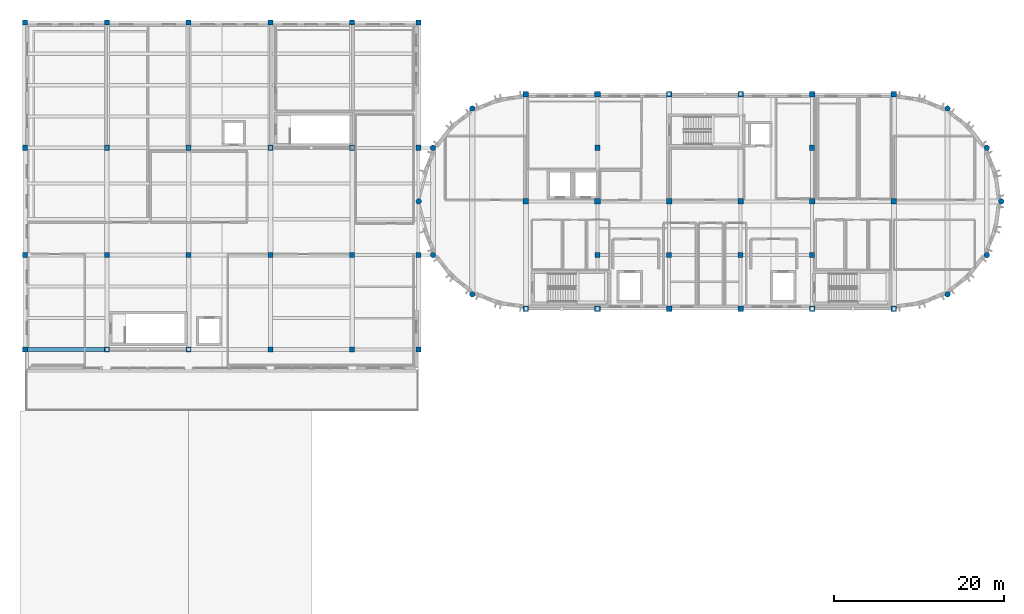
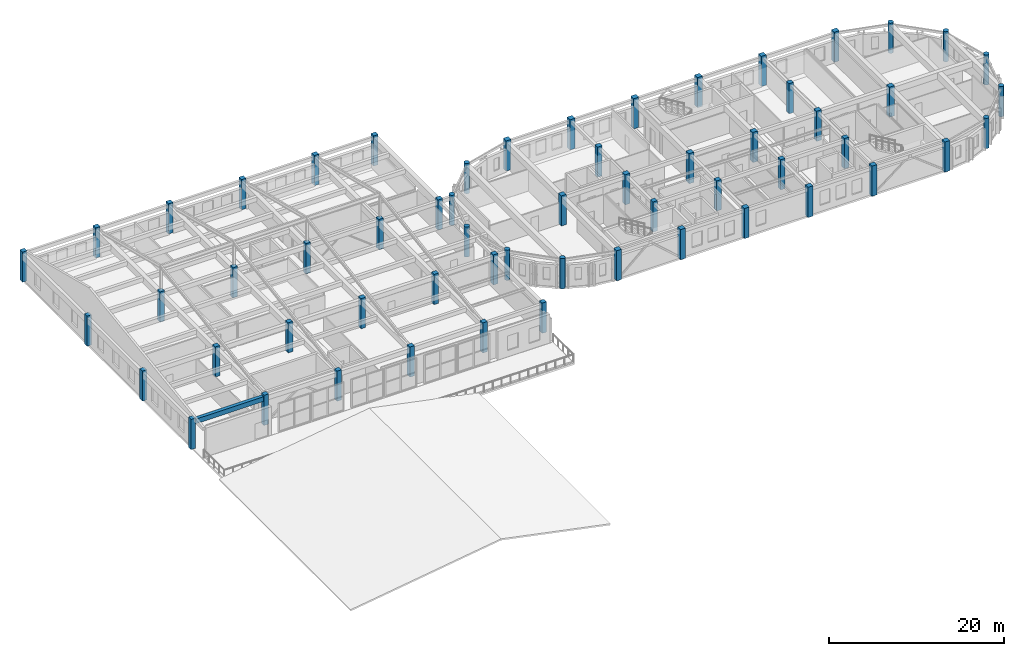
# One storey, part 1 of 29: 58 columns, 1 beam.
"""IFC4 building model written with IfcOpenShell, lengths in metres."""

from ifc_helpers import new_model, si_unit, direction, frame, origin, origin_2d, place, context, subcontext, project, spatial, rectangle, circle, extrude, material, material_profile, profile_set, type_object, element, save


model = new_model("IFC4")

# Units and contexts
model_context = context("Model", 3, precision=1e-05, world=origin(), true_north=direction((0.0, 1.0)))
body_context = subcontext(model_context, "Body", "Model", "MODEL_VIEW")
ifc_project = project(units=[si_unit("LENGTHUNIT", "METRE"), si_unit("AREAUNIT", "SQUARE_METRE"), si_unit("VOLUMEUNIT", "CUBIC_METRE"), si_unit("PLANEANGLEUNIT", "RADIAN"), si_unit("MASSUNIT", "GRAM", prefix="KILO")], contexts=[model_context])

# Site, building, storey
site_placement = place(None, origin())
site = spatial("IfcSite", under=ifc_project, at=site_placement, CompositionType="ELEMENT")
building_placement = place(site_placement, origin())
building = spatial("IfcBuilding", under=site, at=building_placement, Name="Tarnavel Promenade Courthouse", CompositionType="ELEMENT")
storey_placement = place(building_placement, frame((0.0, 0.0, 22.800048828125)))
storey = spatial("IfcBuildingStorey", under=building, at=storey_placement, Name="L06", CompositionType="ELEMENT", Elevation=22.800048828125)

# Columns
ifc_material = material(Name="Concrete C40/50", Category="concrete")
ifc_material_profile_1 = material_profile(ifc_material, circle(Radius=0.324951171875, at=origin_2d()), Name="RCC D650")
ifc_profile_set_1 = profile_set([ifc_material_profile_1], Name="Concrete C40/50")
column_type_1 = type_object("IfcColumnType", Name="Concrete C40/50 COL-DRUM-D650 (RCC D650)", PredefinedType="COLUMN", material=ifc_profile_set_1)
for number, where, z_axis, x_axis, name in (
    (1, (52.5, 102.7119140625, 0.0), (0.0, 0.0, 1.0), (1.0, 0.0, 0.0), "L06 Structural Column 0235"),
    (2, (108.300048828125, 80.88818359375, 0.0), (0.0, 0.0, 1.0), (1.0, 0.0, 0.0), "L06 Structural Column 0245"),
    (3, (47.88818359375, 98.10009765625, 0.0), (0.0, 0.0, 1.0), (1.0, 0.0, 0.0), "L06 Structural Column 0255"),
    (4, (112.911865234375, 85.5, 0.0), (0.0, 0.0, 1.0), (1.0, 0.0, 0.0), "L06 Structural Column 0265"),
    (5, (46.199951171875, 91.800048828125, 0.0), (0.0, 0.0, 1.0), (1.0, 0.0, 0.0), "L06 Structural Column 0275"),
    (6, (114.60009765625, 91.800048828125, 0.0), (0.0, 0.0, 1.0), (1.0, 0.0, 0.0), "L06 Structural Column 0285"),
    (7, (47.88818359375, 85.5, 0.0), (0.0, 0.0, 1.0), (1.0, 0.0, 0.0), "L06 Structural Column 0295"),
    (8, (112.911865234375, 98.10009765625, 0.0), (0.0, 0.0, 1.0), (1.0, 0.0, 0.0), "L06 Structural Column 0305"),
    (9, (52.5, 80.88818359375, 0.0), (0.0, 0.0, 1.0), (1.0, 0.0, 0.0), "L06 Structural Column 0315"),
    (10, (108.300048828125, 102.7119140625, 0.0), (0.0, 0.0, 1.0), (1.0, 0.0, 0.0), "L06 Structural Column 0325"),
):
    element("IfcColumn", number, at=place(storey_placement, frame(where, z_axis=z_axis, x_axis=x_axis)), inside=storey, type_object=column_type_1, Name=name, PredefinedType="COLUMN", context=body_context, shape_type="SweptSolid", body=[
        extrude(circle(Radius=0.324951171875, at=origin_2d()), origin(), (0.0, 0.0, 1.0), 4.199951171875),
    ])
ifc_material_profile_2 = material_profile(ifc_material, rectangle(XDim=0.60009765625, YDim=0.60009765625, at=origin_2d()), Name="RC 600x600")
ifc_profile_set_2 = profile_set([ifc_material_profile_2], Name="Concrete C40/50")
column_type_2 = type_object("IfcColumnType", Name="Concrete C40/50 COL-RC600-UPP (RC 600x600)", PredefinedType="COLUMN", material=ifc_profile_set_2)
for number, where, z_axis, x_axis, name in (
    (11, (67.199951171875, 85.5, 0.0), (0.0, 0.0, 1.0), (1.0, 0.0, 0.0), "L06 Structural Column 0065"),
    (12, (67.199951171875, 98.10009765625, 0.0), (0.0, 0.0, 1.0), (1.0, 0.0, 0.0), "L06 Structural Column 0069"),
    (13, (75.60009765625, 85.5, 0.0), (0.0, 0.0, 1.0), (1.0, 0.0, 0.0), "L06 Structural Column 0107"),
    (14, (84.0, 85.5, 0.0), (0.0, 0.0, 1.0), (1.0, 0.0, 0.0), "L06 Structural Column 0145"),
    (15, (92.39990234375, 85.5, 0.0), (0.0, 0.0, 1.0), (1.0, 0.0, 0.0), "L06 Structural Column 0183"),
    (16, (92.39990234375, 98.10009765625, 0.0), (0.0, 0.0, 1.0), (1.0, 0.0, 0.0), "L06 Structural Column 0187"),
    (17, (0.0, 74.39990234375, 0.0), (0.0, 0.0, 1.0), (1.0, 0.0, 0.0), "L06 Structural Column 0341"),
    (18, (0.0, 85.5, 0.0), (0.0, 0.0, 1.0), (1.0, 0.0, 0.0), "L06 Structural Column 0348"),
    (19, (0.0, 98.10009765625, 0.0), (0.0, 0.0, 1.0), (1.0, 0.0, 0.0), "L06 Structural Column 0355"),
    (20, (0.0, 112.800048828125, 0.0), (0.0, 0.0, 1.0), (1.0, 0.0, 0.0), "L06 Structural Column 0362"),
    (21, (9.60009765625, 74.39990234375, 0.0), (0.0, 0.0, 1.0), (1.0, 0.0, 0.0), "L06 Structural Column 0375"),
    (22, (9.60009765625, 85.5, 0.0), (0.0, 0.0, 1.0), (1.0, 0.0, 0.0), "L06 Structural Column 0382"),
    (23, (9.60009765625, 98.10009765625, 0.0), (0.0, 0.0, 1.0), (1.0, 0.0, 0.0), "L06 Structural Column 0389"),
    (24, (9.60009765625, 112.800048828125, 0.0), (0.0, 0.0, 1.0), (1.0, 0.0, 0.0), "L06 Structural Column 0396"),
    (25, (19.199951171875, 74.39990234375, 0.0), (0.0, 0.0, 1.0), (1.0, 0.0, 0.0), "L06 Structural Column 0409"),
    (26, (19.199951171875, 85.5, 0.0), (0.0, 0.0, 1.0), (1.0, 0.0, 0.0), "L06 Structural Column 0416"),
    (27, (19.199951171875, 98.10009765625, 0.0), (0.0, 0.0, 1.0), (1.0, 0.0, 0.0), "L06 Structural Column 0423"),
    (28, (19.199951171875, 112.800048828125, 0.0), (0.0, 0.0, 1.0), (1.0, 0.0, 0.0), "L06 Structural Column 0430"),
    (29, (28.800048828125, 74.39990234375, 0.0), (0.0, 0.0, 1.0), (1.0, 0.0, 0.0), "L06 Structural Column 0443"),
    (30, (28.800048828125, 85.5, 0.0), (0.0, 0.0, 1.0), (1.0, 0.0, 0.0), "L06 Structural Column 0450"),
    (31, (28.800048828125, 98.10009765625, 0.0), (0.0, 0.0, 1.0), (1.0, 0.0, 0.0), "L06 Structural Column 0457"),
    (32, (28.800048828125, 112.800048828125, 0.0), (0.0, 0.0, 1.0), (1.0, 0.0, 0.0), "L06 Structural Column 0464"),
    (33, (38.39990234375, 74.39990234375, 0.0), (0.0, 0.0, 1.0), (1.0, 0.0, 0.0), "L06 Structural Column 0477"),
    (34, (38.39990234375, 85.5, 0.0), (0.0, 0.0, 1.0), (1.0, 0.0, 0.0), "L06 Structural Column 0484"),
    (35, (38.39990234375, 98.10009765625, 0.0), (0.0, 0.0, 1.0), (1.0, 0.0, 0.0), "L06 Structural Column 0491"),
    (36, (38.39990234375, 112.800048828125, 0.0), (0.0, 0.0, 1.0), (1.0, 0.0, 0.0), "L06 Structural Column 0498"),
    (37, (46.199951171875, 74.39990234375, 0.0), (0.0, 0.0, 1.0), (1.0, 0.0, 0.0), "L06 Structural Column 0511"),
    (38, (46.199951171875, 85.5, 0.0), (0.0, 0.0, 1.0), (1.0, 0.0, 0.0), "L06 Structural Column 0518"),
    (39, (46.199951171875, 98.10009765625, 0.0), (0.0, 0.0, 1.0), (1.0, 0.0, 0.0), "L06 Structural Column 0525"),
    (40, (46.199951171875, 112.800048828125, 0.0), (0.0, 0.0, 1.0), (1.0, 0.0, 0.0), "L06 Structural Column 0532"),
):
    element("IfcColumn", number, at=place(storey_placement, frame(where, z_axis=z_axis, x_axis=x_axis)), inside=storey, type_object=column_type_2, Name=name, PredefinedType="COLUMN", context=body_context, shape_type="SweptSolid", body=[
        extrude(rectangle(XDim=0.60009765625, YDim=0.60009765625, at=origin_2d()), origin(), (0.0, 0.0, 1.0), 4.199951171875),
    ])
ifc_material_profile_3 = material_profile(ifc_material, rectangle(XDim=0.64990234375, YDim=0.64990234375, at=origin_2d()), Name="RC 650x650")
ifc_profile_set_3 = profile_set([ifc_material_profile_3], Name="Concrete C40/50")
column_type_3 = type_object("IfcColumnType", Name="Concrete C40/50 COL-RC650-UPP (RC 650x650)", PredefinedType="COLUMN", material=ifc_profile_set_3)
for number, where, z_axis, x_axis, name in (
    (41, (58.800048828125, 79.199951171875, 0.0), (0.0, 0.0, 1.0), (1.0, 0.0, 0.0), "L06 Structural Column 0007"),
    (42, (58.800048828125, 91.800048828125, 0.0), (0.0, 0.0, 1.0), (1.0, 0.0, 0.0), "L06 Structural Column 0017"),
    (43, (58.800048828125, 104.39990234375, 0.0), (0.0, 0.0, 1.0), (1.0, 0.0, 0.0), "L06 Structural Column 0027"),
    (44, (67.199951171875, 79.199951171875, 0.0), (0.0, 0.0, 1.0), (1.0, 0.0, 0.0), "L06 Structural Column 0041"),
    (45, (67.199951171875, 91.800048828125, 0.0), (0.0, 0.0, 1.0), (1.0, 0.0, 0.0), "L06 Structural Column 0051"),
    (46, (67.199951171875, 104.39990234375, 0.0), (0.0, 0.0, 1.0), (1.0, 0.0, 0.0), "L06 Structural Column 0061"),
    (47, (75.60009765625, 79.199951171875, 0.0), (0.0, 0.0, 1.0), (1.0, 0.0, 0.0), "L06 Structural Column 0083"),
    (48, (75.60009765625, 91.800048828125, 0.0), (0.0, 0.0, 1.0), (1.0, 0.0, 0.0), "L06 Structural Column 0093"),
    (49, (75.60009765625, 104.39990234375, 0.0), (0.0, 0.0, 1.0), (1.0, 0.0, 0.0), "L06 Structural Column 0103"),
    (50, (84.0, 79.199951171875, 0.0), (0.0, 0.0, 1.0), (1.0, 0.0, 0.0), "L06 Structural Column 0121"),
    (51, (84.0, 91.800048828125, 0.0), (0.0, 0.0, 1.0), (1.0, 0.0, 0.0), "L06 Structural Column 0131"),
    (52, (84.0, 104.39990234375, 0.0), (0.0, 0.0, 1.0), (1.0, 0.0, 0.0), "L06 Structural Column 0141"),
    (53, (92.39990234375, 79.199951171875, 0.0), (0.0, 0.0, 1.0), (1.0, 0.0, 0.0), "L06 Structural Column 0159"),
    (54, (92.39990234375, 91.800048828125, 0.0), (0.0, 0.0, 1.0), (1.0, 0.0, 0.0), "L06 Structural Column 0169"),
    (55, (92.39990234375, 104.39990234375, 0.0), (0.0, 0.0, 1.0), (1.0, 0.0, 0.0), "L06 Structural Column 0179"),
    (56, (102.0, 79.199951171875, 0.0), (0.0, 0.0, 1.0), (1.0, 0.0, 0.0), "L06 Structural Column 0201"),
    (57, (102.0, 91.800048828125, 0.0), (0.0, 0.0, 1.0), (1.0, 0.0, 0.0), "L06 Structural Column 0211"),
    (58, (102.0, 104.39990234375, 0.0), (0.0, 0.0, 1.0), (1.0, 0.0, 0.0), "L06 Structural Column 0221"),
):
    element("IfcColumn", number, at=place(storey_placement, frame(where, z_axis=z_axis, x_axis=x_axis)), inside=storey, type_object=column_type_3, Name=name, PredefinedType="COLUMN", context=body_context, shape_type="SweptSolid", body=[
        extrude(rectangle(XDim=0.64990234375, YDim=0.64990234375, at=origin_2d()), origin(), (0.0, 0.0, 1.0), 4.199951171875),
    ])

# Beam
ifc_material_profile_4 = material_profile(ifc_material, rectangle(XDim=0.449951171875, YDim=0.64990234375, at=origin_2d()), Name="RC 450x650")
ifc_profile_set_4 = profile_set([ifc_material_profile_4], Name="Concrete C40/50")
beam_type = type_object("IfcBeamType", Name="Concrete C40/50 BM-RC-450x650 (RC 450x650)", PredefinedType="T_BEAM", material=ifc_profile_set_4)
beam_placement = place(storey_placement, frame((0.0, 74.39990234375, 3.639892578125), z_axis=(1.0, 0.0, 0.0), x_axis=(0.0, 1.0, 0.0)))
element("IfcBeam", 59, at=beam_placement, inside=storey, type_object=beam_type, Name="L06 Primary Longitudinal Beam 2391", PredefinedType="T_BEAM", context=body_context, shape_type="SweptSolid", body=[
    extrude(rectangle(XDim=0.449951171875, YDim=0.64990234375, at=origin_2d()), origin(), (0.0, 0.0, 1.0), 9.60009765625),
])

save(model, "model.ifc")
